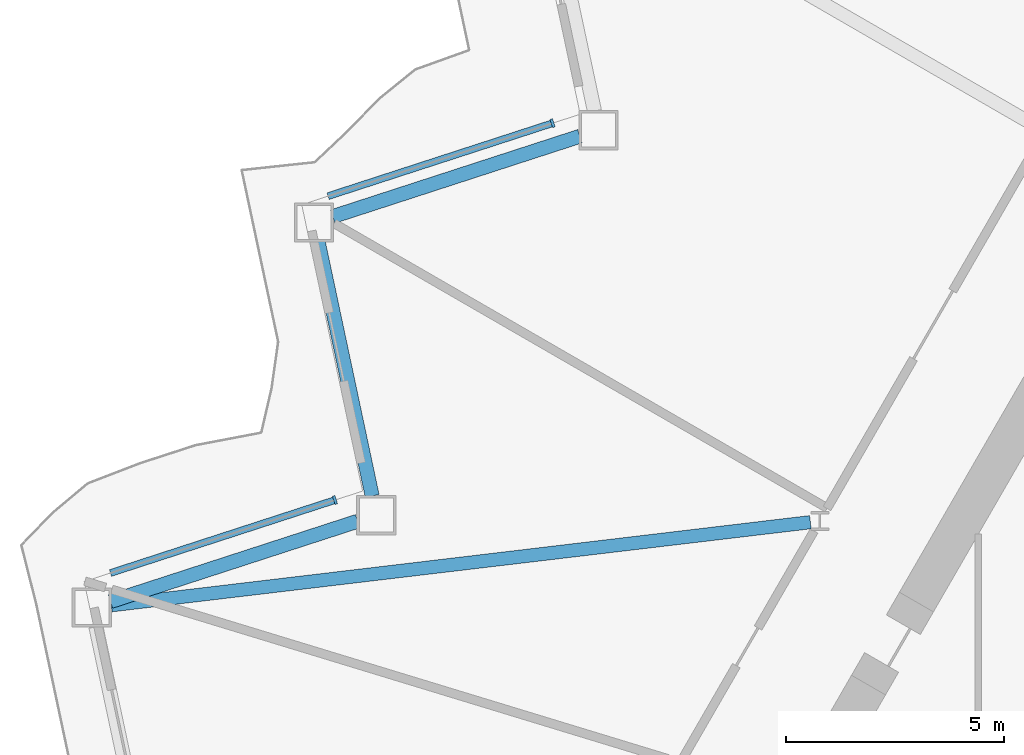
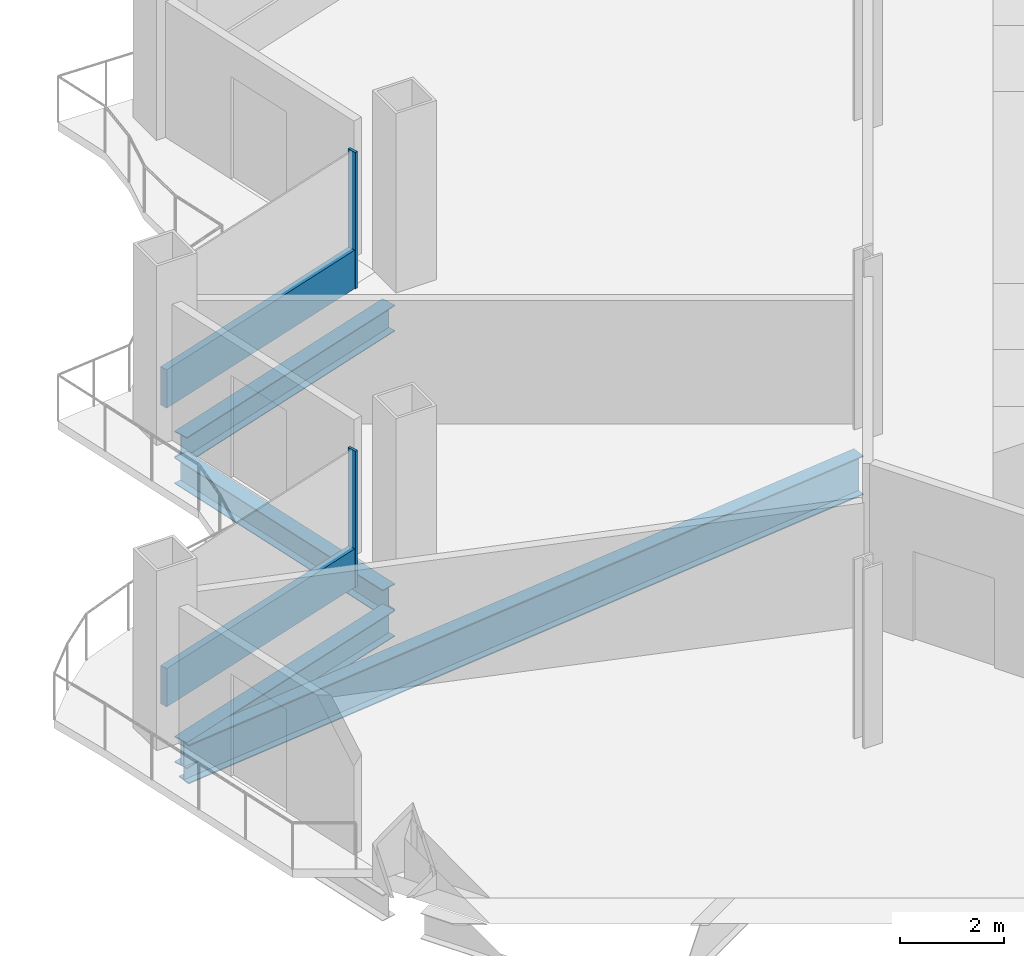
# One storey, part 4 of 21: 4 beams, 4 members, 2 elements without a shape of their own.
"""IFC4 building model written with IfcOpenShell, lengths in metres."""

from ifc_helpers import new_model, si_unit, direction, frame, origin, origin_2d, place, context, subcontext, project, spatial, rectangle, i_section, extrude, material, layer, layer_set, material_profile, profile_set, type_object, element, aggregate, save


model = new_model("IFC4")

# Units and contexts
model_context = context("Model", 3, precision=1e-05, world=origin(), true_north=direction((0.0, 1.0)))
body_context = subcontext(model_context, "Body", "Model", "MODEL_VIEW")
ifc_project = project(units=[si_unit("LENGTHUNIT", "METRE"), si_unit("AREAUNIT", "SQUARE_METRE"), si_unit("VOLUMEUNIT", "CUBIC_METRE"), si_unit("PLANEANGLEUNIT", "RADIAN"), si_unit("MASSUNIT", "GRAM", prefix="KILO")], contexts=[model_context])

# Site, building, storey
site_placement = place(None, origin())
site = spatial("IfcSite", under=ifc_project, at=site_placement, CompositionType="ELEMENT")
building_placement = place(site_placement, origin())
building = spatial("IfcBuilding", under=site, at=building_placement, Name="Cormorant Prow Tower", CompositionType="ELEMENT")
storey_placement = place(building_placement, frame((0.0, 0.0, 108.0)))
storey = spatial("IfcBuildingStorey", under=building, at=storey_placement, Name="L22", CompositionType="ELEMENT", Elevation=108.0)

# Curtain wall, member
ifc_material_1 = material(Name="Aluminium 6063-T6", Category="aluminium")
ifc_layer = layer(ifc_material_1, 0.199951171875)
ifc_layer_set = layer_set([ifc_layer], Name="Aluminium 6063-T6")
curtain_wall_type = type_object("IfcCurtainWallType", Name="Office unitised curtain wall 200", PredefinedType="NOTDEFINED", material=ifc_layer_set)
curtain_wall_1_placement = place(storey_placement, origin())
curtain_wall_1 = element("IfcCurtainWall", 1, at=curtain_wall_1_placement, inside=storey, type_object=curtain_wall_type, Name="Office curtain wall WNW06", PredefinedType="NOTDEFINED")
ifc_material_2 = material(Name="Aluminium 6063-T6", Category="aluminium")
ifc_material_profile_1 = material_profile(ifc_material_2, rectangle(XDim=0.199951171875, YDim=0.06005859375, at=origin_2d()), Name="Office mullion 60x200")
ifc_profile_set_1 = profile_set([ifc_material_profile_1], Name="Aluminium 6063-T6")
member_type_1 = type_object("IfcMemberType", Name="Office mullion 60x200", PredefinedType="MULLION", material=ifc_profile_set_1)
member_1_placement = place(storey_placement, frame((-21.623779296875, 6.14794921875, 0.0), z_axis=(0.0, 0.0, 1.0), x_axis=(0.309016933855, -0.951056535959, 0.0)))
member_1 = element("IfcMember", 2, at=member_1_placement, type_object=member_type_1, Name="Office mullion WNW06", PredefinedType="MULLION", context=body_context, shape_type="SweptSolid", body=[
    extrude(rectangle(XDim=0.199951171875, YDim=0.06005859375, at=origin_2d()), origin(), (0.0, 0.0, 1.0), 3.18896484375),
])

curtain_wall_2_placement = place(storey_placement, origin())
curtain_wall_2 = element("IfcCurtainWall", 3, at=curtain_wall_2_placement, inside=storey, type_object=curtain_wall_type, Name="Office curtain wall WNW08", PredefinedType="NOTDEFINED")
member_2_placement = place(storey_placement, frame((-26.616455078125, -2.499755859375, 0.0), z_axis=(0.0, 0.0, 1.0), x_axis=(0.309016933855, -0.951056535959, 0.0)))
member_2 = element("IfcMember", 4, at=member_2_placement, type_object=member_type_1, Name="Office mullion WNW08", PredefinedType="MULLION", context=body_context, shape_type="SweptSolid", body=[
    extrude(rectangle(XDim=0.199951171875, YDim=0.06005859375, at=origin_2d()), origin(), (0.0, 0.0, 1.0), 3.18896484375),
])

# Member
ifc_material_3 = material(Name="Terracotta", Category="masonry")
ifc_material_profile_2 = material_profile(ifc_material_3, rectangle(XDim=0.159912109375, YDim=0.89990234375, at=origin_2d()), Name="Office terracotta spandrel rail 160x900")
ifc_profile_set_2 = profile_set([ifc_material_profile_2], Name="Terracotta")
member_type_2 = type_object("IfcMemberType", Name="Office terracotta spandrel rail 160x900", PredefinedType="USERDEFINED", material=ifc_profile_set_2)
member_3_placement = place(storey_placement, frame((-21.652099609375, 6.138671875, 0.449951171875), z_axis=(-0.951053718729, -0.309025604265, 0.0), x_axis=(0.309025604265, -0.951053718729, 0.0)))
member_3 = element("IfcMember", 5, at=member_3_placement, type_object=member_type_2, Name="Office spandrel rail WNW06", ObjectType="TRANSOM", PredefinedType="USERDEFINED", context=body_context, shape_type="SweptSolid", body=[
    extrude(rectangle(XDim=0.159912109375, YDim=0.89990234375, at=origin_2d()), origin(), (0.0, 0.0, 1.0), 5.386474609375),
])

aggregate(curtain_wall_1, [member_1, member_3])

member_4_placement = place(storey_placement, frame((-26.644775390625, -2.509033203125, 0.449951171875), z_axis=(-0.951067039037, -0.30898460683, 0.0), x_axis=(0.30898460683, -0.951067039037, 0.0)))
member_4 = element("IfcMember", 6, at=member_4_placement, type_object=member_type_2, Name="Office spandrel rail WNW08", ObjectType="TRANSOM", PredefinedType="USERDEFINED", context=body_context, shape_type="SweptSolid", body=[
    extrude(rectangle(XDim=0.159912109375, YDim=0.89990234375, at=origin_2d()), origin(), (0.0, 0.0, 1.0), 5.386474609375),
])

aggregate(curtain_wall_2, [member_2, member_4])

# Beams
ifc_material_4 = material(Name="Structural steel ASTM A992 Gr 50", Category="steel")
ifc_material_profile_3 = material_profile(ifc_material_4, i_section(OverallWidth=0.3046875, OverallDepth=0.914794921875, WebThickness=0.0166015625, FlangeThickness=0.02587890625, at=origin_2d()), Name="W36x160")
ifc_profile_set_3 = profile_set([ifc_material_profile_3], Name="Structural steel ASTM A992 Gr 50")
beam_type_1 = type_object("IfcBeamType", Name="Radial floor beam W36x160", PredefinedType="BEAM", material=ifc_profile_set_3)
beam_1_placement = place(storey_placement, frame((-15.70849609375, -3.00732421875, -0.857421875), z_axis=(-0.993009167646, -0.118037252474, 0.0), x_axis=(0.118037252474, -0.993009167646, 0.0)))
element("IfcBeam", 7, at=beam_1_placement, inside=storey, type_object=beam_type_1, Name="Radial floor beam FB1 4 L22", PredefinedType="BEAM", context=body_context, shape_type="SweptSolid", body=[
    extrude(i_section(OverallWidth=0.3046875, OverallDepth=0.914794921875, WebThickness=0.0166015625, FlangeThickness=0.02587890625, at=origin_2d()), origin(), (0.0, 0.0, 1.0), 16.15380859375),
])
ifc_material_5 = material(Name="Structural steel ASTM A992 Gr 50", Category="steel")
ifc_material_profile_4 = material_profile(ifc_material_5, i_section(OverallWidth=0.32373046875, OverallDepth=0.611083984375, WebThickness=0.0126953125, FlangeThickness=0.01904296875, at=origin_2d()), Name="W24x104")
ifc_profile_set_4 = profile_set([ifc_material_profile_4], Name="Structural steel ASTM A992 Gr 50")
beam_type_2 = type_object("IfcBeamType", Name="Spandrel beam W24x104", PredefinedType="SPANDREL", material=ifc_profile_set_4)
beam_2_placement = place(storey_placement, frame((-20.99755859375, 5.847900390625, -0.70556640625), z_axis=(-0.951055430656, -0.309020335608, 0.0), x_axis=(0.309020335608, -0.951055430656, 0.0)))
element("IfcBeam", 8, at=beam_2_placement, inside=storey, type_object=beam_type_2, Name="Spandrel beam SB1 WNW06-WNW07 L22", PredefinedType="SPANDREL", context=body_context, shape_type="SweptSolid", body=[
    extrude(i_section(OverallWidth=0.32373046875, OverallDepth=0.611083984375, WebThickness=0.0126953125, FlangeThickness=0.01904296875, at=origin_2d()), origin(), (0.0, 0.0, 1.0), 5.96240234375),
])
for number, where, z_axis, x_axis, name in (
    (9, (-27.002685546875, 3.426025390625, -0.70556640625), (0.207920947907, -0.978145633033, 0.0), (0.978145633033, 0.207920947907, 0.0), "Spandrel beam SB1 WNW07-WNW08 L22"),
    (10, (-26.097412109375, -2.985595703125, -0.70556640625), (-0.951059340519, -0.309008302174, 0.0), (0.309008302174, -0.951059340519, 0.0), "Spandrel beam SB1 WNW08-WNW09 L22"),
):
    element("IfcBeam", number, at=place(storey_placement, frame(where, z_axis=z_axis, x_axis=x_axis)), inside=storey, type_object=beam_type_2, Name=name, PredefinedType="SPANDREL", context=body_context, shape_type="SweptSolid", body=[
        extrude(i_section(OverallWidth=0.32373046875, OverallDepth=0.611083984375, WebThickness=0.0126953125, FlangeThickness=0.01904296875, at=origin_2d()), origin(), (0.0, 0.0, 1.0), 5.962646484375),
    ])

save(model, "model.ifc")
